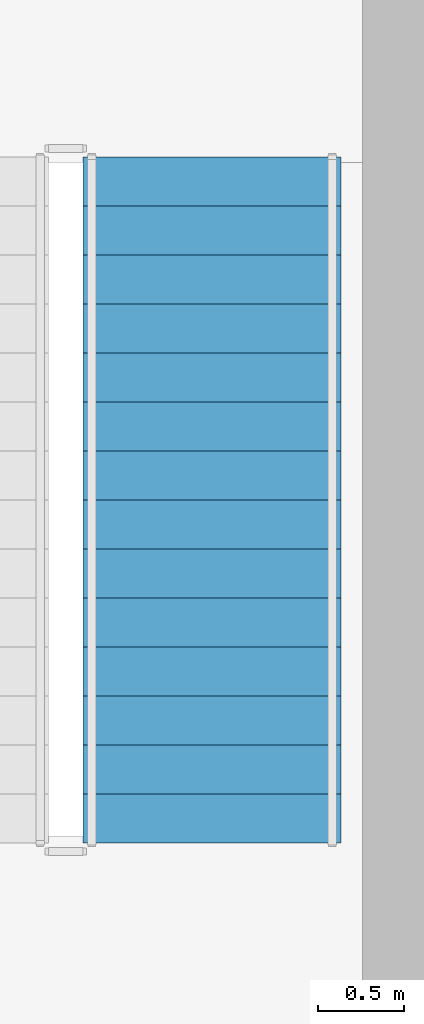
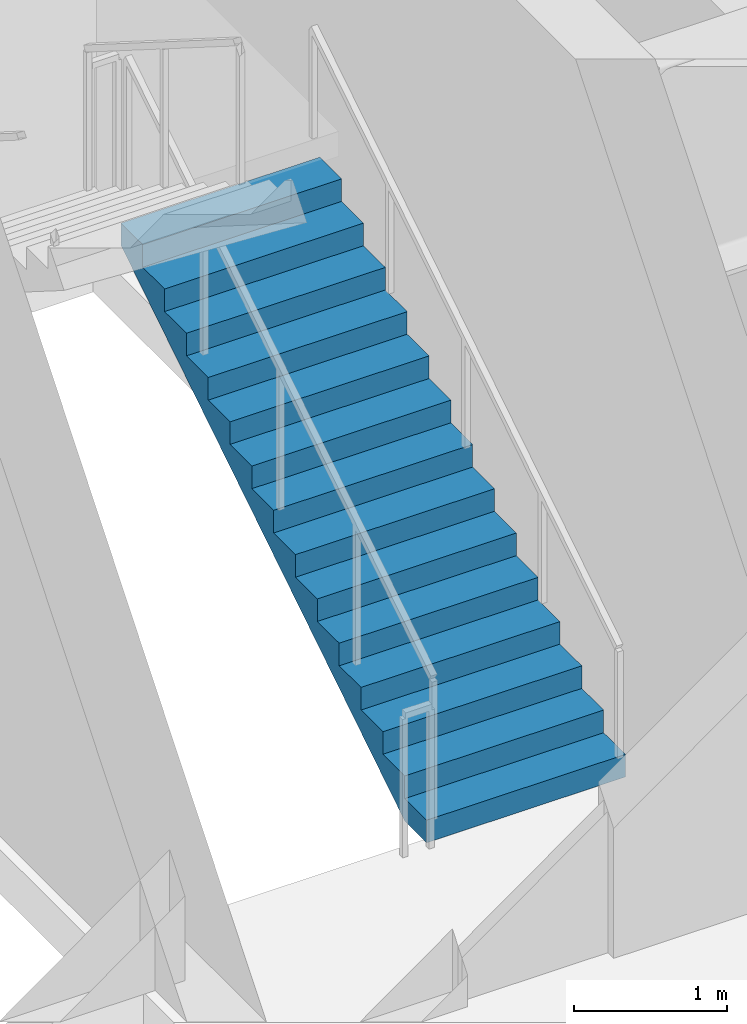
# One storey, part 7 of 8: 1 stair flight, 1 element without a shape of its own.
"""IFC4 building model written with IfcOpenShell, lengths in metres."""

import ifcopenshell
import ifcopenshell.guid

model = None  # the IFC model being written
_history = None  # IfcOwnerHistory: only IFC2X3 demands one
_inside = {}  # id of a spatial element -> (the spatial element, [elements in it])
_under = {}  # id of a project, library or spatial element -> (it, [spatial elements below it])
_declared = {}  # id of a project -> (the project, [libraries it declares])
_typed = {}  # id of a type object -> (the type object, [elements of that type])
_made_of = {}  # id of a material, layer set ... -> (it, [elements and type objects made of it])


def new_model(schema):
    """Start an empty IFC model of exactly this schema.

    Asked for "IFC4X3", IfcOpenShell would pick the latest addendum, in which some entities
    have other attributes; the version numbers below select the first issue.
    IFC2X3 requires an IfcOwnerHistory on every rooted entity: one is made here for all.
    """
    global model, _history
    if schema == "IFC4X3":
        model = ifcopenshell.file(schema_version=(4, 3, 0, 0))
    else:
        model = ifcopenshell.file(schema=schema)
    _inside.clear()
    _under.clear()
    _declared.clear()
    _typed.clear()
    _made_of.clear()
    _history = None
    if model.schema == "IFC2X3":
        org = make("IfcOrganization", Name="unknown")
        user = make(
            "IfcPersonAndOrganization",
            ThePerson=make("IfcPerson", FamilyName="unknown"),
            TheOrganization=org,
        )
        app = make(
            "IfcApplication",
            ApplicationDeveloper=org,
            Version="unknown",
            ApplicationFullName="unknown",
            ApplicationIdentifier="unknown",
        )
        _history = make(
            "IfcOwnerHistory",
            OwningUser=user,
            OwningApplication=app,
            ChangeAction="ADDED",
            CreationDate=0,
        )
    return model


def make(cls, **values):
    """One entity of the class cls with the attributes given. An attribute that is None is left unset."""
    return model.create_entity(
        cls, **{name: value for name, value in values.items() if value is not None}
    )


def rooted(cls, **values):
    """An entity with a GlobalId (a new one), such as an element, a storey or a relation."""
    return make(cls, GlobalId=ifcopenshell.guid.new(), OwnerHistory=_history, **values)


def si_unit(unit_type, name, prefix=None):
    """IfcSIUnit, for example si_unit("LENGTHUNIT", "METRE", prefix="MILLI")."""
    return make("IfcSIUnit", UnitType=unit_type, Prefix=prefix, Name=name)


def assignment(units):
    """IfcUnitAssignment: the units of a project."""
    return None if units is None else make("IfcUnitAssignment", Units=units)


def point(xyz):
    """IfcCartesianPoint."""
    return None if xyz is None else make("IfcCartesianPoint", Coordinates=xyz)


def direction(xyz):
    """IfcDirection."""
    return None if xyz is None else make("IfcDirection", DirectionRatios=xyz)


def frame(location, z_axis=None, x_axis=None):
    """IfcAxis2Placement3D, a coordinate frame: its origin and axes. An axis left out is left unset."""
    return make(
        "IfcAxis2Placement3D",
        Location=point(location),
        Axis=direction(z_axis),
        RefDirection=direction(x_axis),
    )


def origin():
    """The frame at (0, 0, 0) with its axes left unset."""
    return frame((0.0, 0.0, 0.0))


def place(relative_to, where):
    """IfcLocalPlacement: puts the frame where relative to a parent placement (None: the world)."""
    return make(
        "IfcLocalPlacement", PlacementRelTo=relative_to, RelativePlacement=where
    )


def context(
    kind, dimensions, precision=None, world=None, true_north=None, identifier=None
):
    """IfcGeometricRepresentationContext, for example the 3D "Model" context."""
    return make(
        "IfcGeometricRepresentationContext",
        ContextIdentifier=identifier,
        ContextType=kind,
        CoordinateSpaceDimension=dimensions,
        Precision=precision,
        WorldCoordinateSystem=world,
        TrueNorth=true_north,
    )


def subcontext(parent, identifier, kind, view, scale=None):
    """IfcGeometricRepresentationSubContext, for example "Body" below "Model"."""
    return make(
        "IfcGeometricRepresentationSubContext",
        ContextIdentifier=identifier,
        ContextType=kind,
        ParentContext=parent,
        TargetScale=scale,
        TargetView=view,
    )


def project(units=None, contexts=None):
    """IfcProject with its units and contexts."""
    return rooted(
        "IfcProject",
        Name="project",
        RepresentationContexts=contexts,
        UnitsInContext=assignment(units),
    )


def spatial(cls, under=None, at=None, **own):
    """A site, building, storey or space (cls), placed at a placement, below another one or the project."""
    s = rooted(cls, ObjectPlacement=at, **own)
    if under is not None:
        _under.setdefault(under.id(), (under, []))[1].append(s)
    return s


def polyline(points):
    """IfcPolyline through the points."""
    return make("IfcPolyline", Points=[point(p) for p in points])


def outline(outer, holes=None, kind="AREA"):
    """IfcArbitraryClosedProfileDef: a profile drawn as a closed curve; with holes, ...WithVoids."""
    if holes is None:
        return make("IfcArbitraryClosedProfileDef", ProfileType=kind, OuterCurve=outer)
    return make(
        "IfcArbitraryProfileDefWithVoids",
        ProfileType=kind,
        OuterCurve=outer,
        InnerCurves=holes,
    )


def extrude(swept, where, along, depth):
    """IfcExtrudedAreaSolid: the profile swept, set in the frame where, extruded along a direction by depth."""
    return make(
        "IfcExtrudedAreaSolid",
        SweptArea=swept,
        Position=where,
        ExtrudedDirection=direction(along),
        Depth=depth,
    )


def shape(context_of_items, identifier, shape_type, items):
    """IfcShapeRepresentation: the items that make up one representation, for example the "Body"."""
    return make(
        "IfcShapeRepresentation",
        ContextOfItems=context_of_items,
        RepresentationIdentifier=identifier,
        RepresentationType=shape_type,
        Items=items,
    )


def material(Name=None, Category=None):
    """IfcMaterial."""
    return make("IfcMaterial", Name=Name, Category=Category)


def made_of(thing, what):
    """Note that an element or type object is made of a material, layer set ...; save() writes the relation."""
    if what is not None:
        _made_of.setdefault(what.id(), (what, []))[1].append(thing)
    return thing


def type_object(cls, material=None, **own):
    """A type object (cls), such as IfcWallType, which elements share."""
    return made_of(rooted(cls, **own), material)


def element(
    cls,
    number,
    at=None,
    inside=None,
    cuts=None,
    type_object=None,
    material=None,
    context=None,
    identifier="Body",
    shape_type=None,
    held_by="IfcProductDefinitionShape",
    body=None,
    shapes=None,
    **own,
):
    """One element of the class cls, such as IfcWall. Its Tag is "e" and its number.

    at: its placement. inside: the storey or other place that contains it. cuts: it is an
    opening in that element (IfcRelVoidsElement). A single representation is given by context,
    identifier, shape_type and body (its items); several are given by shapes. held_by: the class
    of the entity that holds the representations. save() writes the other relations.
    """
    e = rooted(cls, Tag="e%d" % number, ObjectPlacement=at, **own)
    if body is not None:
        shapes = [shape(context, identifier, shape_type, body)]
    if shapes is not None:
        e.Representation = make(held_by, Representations=shapes)
    if inside is not None:
        _inside.setdefault(inside.id(), (inside, []))[1].append(e)
    if cuts is not None:
        rooted(
            "IfcRelVoidsElement", RelatingBuildingElement=cuts, RelatedOpeningElement=e
        )
    if type_object is not None:
        _typed.setdefault(type_object.id(), (type_object, []))[1].append(e)
    return made_of(e, material)


def aggregate(whole, parts):
    """IfcRelAggregates: a whole, such as a stair, and the parts it consists of."""
    return rooted("IfcRelAggregates", RelatingObject=whole, RelatedObjects=parts)


def save(model, path):
    """Write the relations noted so far, then the file.

    IfcRelAggregates (storeys below a building ...), IfcRelContainedInSpatialStructure (elements
    in a storey), IfcRelDefinesByType, IfcRelAssociatesMaterial and IfcRelDeclares: one each for
    every whole, place, type object, material and project.
    """
    for whole, parts in _under.values():
        aggregate(whole, parts)
    for where, things in _inside.values():
        rooted(
            "IfcRelContainedInSpatialStructure",
            RelatedElements=things,
            RelatingStructure=where,
        )
    for kind, things in _typed.values():
        rooted("IfcRelDefinesByType", RelatedObjects=things, RelatingType=kind)
    for what, things in _made_of.values():
        rooted("IfcRelAssociatesMaterial", RelatedObjects=things, RelatingMaterial=what)
    for by, libraries in _declared.values():
        rooted("IfcRelDeclares", RelatingContext=by, RelatedDefinitions=libraries)
    model.write(path)


model = new_model("IFC4")

# Units and contexts
model_context = context("Model", 3, precision=1e-05, world=origin(), true_north=direction((0.0, 1.0)))
body_context = subcontext(model_context, "Body", "Model", "MODEL_VIEW")
ifc_project = project(units=[si_unit("LENGTHUNIT", "METRE"), si_unit("AREAUNIT", "SQUARE_METRE"), si_unit("VOLUMEUNIT", "CUBIC_METRE"), si_unit("PLANEANGLEUNIT", "RADIAN"), si_unit("MASSUNIT", "GRAM", prefix="KILO")], contexts=[model_context])

# Site, building, storey
site_placement = place(None, origin())
site = spatial("IfcSite", under=ifc_project, at=site_placement, CompositionType="ELEMENT")
building_placement = place(site_placement, origin())
building = spatial("IfcBuilding", under=site, at=building_placement, Name="Sarneth Arch Tower", CompositionType="ELEMENT")
storey_placement = place(building_placement, frame((0.0, 0.0, 201.0)))
storey = spatial("IfcBuildingStorey", under=building, at=storey_placement, Name="L51", CompositionType="ELEMENT", Elevation=201.0)

# Stair, stair flight
ifc_material_1 = material(Name="Concrete C50/60", Category="concrete")
stair_type = type_object("IfcStairType", Name="STAIR-CORE-RC", PredefinedType="HALF_TURN_STAIR", material=ifc_material_1)
stair_placement = place(storey_placement, origin())
stair = element("IfcStair", 1, at=stair_placement, inside=storey, type_object=stair_type, Name="L51 Core Exit Stair 2", PredefinedType="HALF_TURN_STAIR")
ifc_material_2 = material(Name="Concrete C50/60", Category="concrete")
stair_flight_type = type_object("IfcStairFlightType", Name="FLIGHT-RC-1500", PredefinedType="STRAIGHT", material=ifc_material_2)
stair_flight_placement = place(storey_placement, frame((57.89990234375, 41.449951171875, 0.0), z_axis=(0.0, 0.0, 1.0), x_axis=(0.0, 1.0, 0.0)))
stair_flight = element("IfcStairFlight", 2, at=stair_flight_placement, type_object=stair_flight_type, Name="ST-2 flight 1", NumberOfRisers=15, NumberOfTreads=14, PredefinedType="STRAIGHT", RiserHeight=0.18, TreadLength=0.285, context=body_context, shape_type="SweptSolid", body=[
    extrude(outline(polyline([(0.0, 0.0), (0.0, 0.179931640625), (0.284912109375, 0.179931640625), (0.284912109375, 0.360107421875), (0.570068359375, 0.360107421875), (0.570068359375, 0.5400390625), (0.85498046875, 0.5400390625), (0.85498046875, 0.719970703125), (1.139892578125, 0.719970703125), (1.139892578125, 0.89990234375), (1.425048828125, 0.89990234375), (1.425048828125, 1.080078125), (1.7099609375, 1.080078125), (1.7099609375, 1.260009765625), (1.9951171875, 1.260009765625), (1.9951171875, 1.43994140625), (2.280029296875, 1.43994140625), (2.280029296875, 1.6201171875), (2.56494140625, 1.6201171875), (2.56494140625, 1.800048828125), (2.85009765625, 1.800048828125), (2.85009765625, 1.97998046875), (3.135009765625, 1.97998046875), (3.135009765625, 2.159912109375), (3.419921875, 2.159912109375), (3.419921875, 2.340087890625), (3.705078125, 2.340087890625), (3.705078125, 2.52001953125), (3.989990234375, 2.52001953125), (3.989990234375, 2.699951171875), (3.989990234375, 2.3427734375), (0.28076171875, 0.0), (0.0, 0.0)])), frame((0.0, 0.75, 0.0), z_axis=(0.0, -1.0, 0.0), x_axis=(1.0, 0.0, 0.0)), (0.0, 0.0, 1.0), 1.5),
])
aggregate(stair, [stair_flight])

save(model, "model.ifc")
